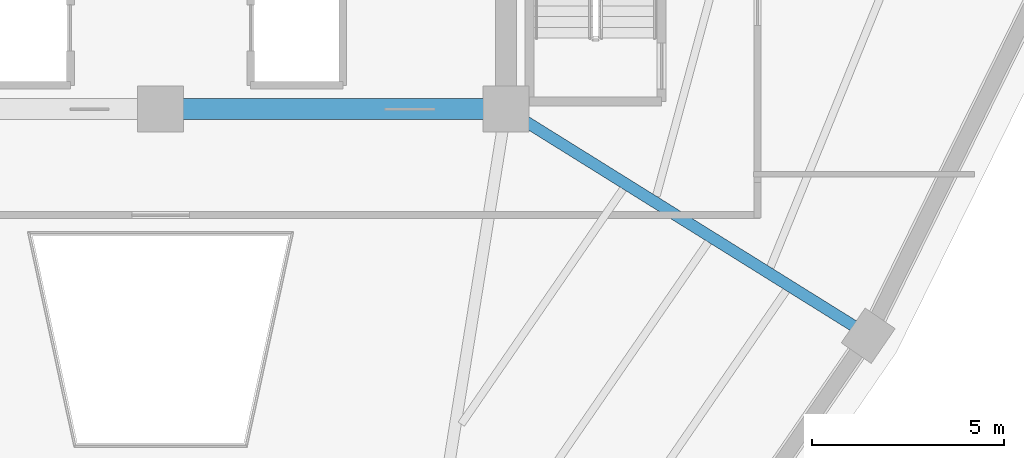
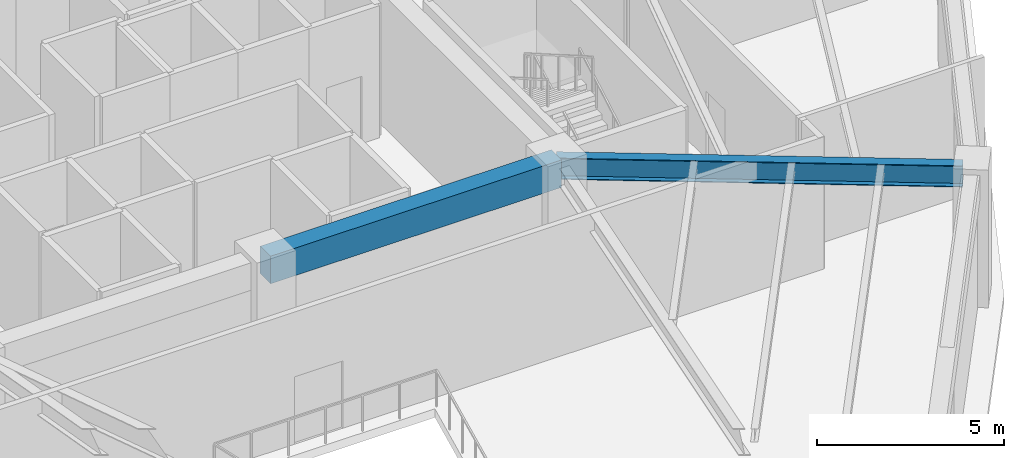
# One storey, part 13 of 35: 2 beams.
"""IFC4 building model written with IfcOpenShell, lengths in metres."""

import ifcopenshell
import ifcopenshell.guid

model = None  # the IFC model being written
_history = None  # IfcOwnerHistory: only IFC2X3 demands one
_inside = {}  # id of a spatial element -> (the spatial element, [elements in it])
_under = {}  # id of a project, library or spatial element -> (it, [spatial elements below it])
_declared = {}  # id of a project -> (the project, [libraries it declares])
_typed = {}  # id of a type object -> (the type object, [elements of that type])
_made_of = {}  # id of a material, layer set ... -> (it, [elements and type objects made of it])


def new_model(schema):
    """Start an empty IFC model of exactly this schema.

    Asked for "IFC4X3", IfcOpenShell would pick the latest addendum, in which some entities
    have other attributes; the version numbers below select the first issue.
    IFC2X3 requires an IfcOwnerHistory on every rooted entity: one is made here for all.
    """
    global model, _history
    if schema == "IFC4X3":
        model = ifcopenshell.file(schema_version=(4, 3, 0, 0))
    else:
        model = ifcopenshell.file(schema=schema)
    _inside.clear()
    _under.clear()
    _declared.clear()
    _typed.clear()
    _made_of.clear()
    _history = None
    if model.schema == "IFC2X3":
        org = make("IfcOrganization", Name="unknown")
        user = make(
            "IfcPersonAndOrganization",
            ThePerson=make("IfcPerson", FamilyName="unknown"),
            TheOrganization=org,
        )
        app = make(
            "IfcApplication",
            ApplicationDeveloper=org,
            Version="unknown",
            ApplicationFullName="unknown",
            ApplicationIdentifier="unknown",
        )
        _history = make(
            "IfcOwnerHistory",
            OwningUser=user,
            OwningApplication=app,
            ChangeAction="ADDED",
            CreationDate=0,
        )
    return model


def make(cls, **values):
    """One entity of the class cls with the attributes given. An attribute that is None is left unset."""
    return model.create_entity(
        cls, **{name: value for name, value in values.items() if value is not None}
    )


def rooted(cls, **values):
    """An entity with a GlobalId (a new one), such as an element, a storey or a relation."""
    return make(cls, GlobalId=ifcopenshell.guid.new(), OwnerHistory=_history, **values)


def si_unit(unit_type, name, prefix=None):
    """IfcSIUnit, for example si_unit("LENGTHUNIT", "METRE", prefix="MILLI")."""
    return make("IfcSIUnit", UnitType=unit_type, Prefix=prefix, Name=name)


def assignment(units):
    """IfcUnitAssignment: the units of a project."""
    return None if units is None else make("IfcUnitAssignment", Units=units)


def point(xyz):
    """IfcCartesianPoint."""
    return None if xyz is None else make("IfcCartesianPoint", Coordinates=xyz)


def direction(xyz):
    """IfcDirection."""
    return None if xyz is None else make("IfcDirection", DirectionRatios=xyz)


def frame(location, z_axis=None, x_axis=None):
    """IfcAxis2Placement3D, a coordinate frame: its origin and axes. An axis left out is left unset."""
    return make(
        "IfcAxis2Placement3D",
        Location=point(location),
        Axis=direction(z_axis),
        RefDirection=direction(x_axis),
    )


def frame_2d(location, x_axis=None):
    """IfcAxis2Placement2D, a coordinate frame in the plane: its origin and x axis."""
    return make(
        "IfcAxis2Placement2D", Location=point(location), RefDirection=direction(x_axis)
    )


def origin():
    """The frame at (0, 0, 0) with its axes left unset."""
    return frame((0.0, 0.0, 0.0))


def origin_2d():
    """The frame at (0, 0) in the plane with its x axis left unset."""
    return frame_2d((0.0, 0.0))


def place(relative_to, where):
    """IfcLocalPlacement: puts the frame where relative to a parent placement (None: the world)."""
    return make(
        "IfcLocalPlacement", PlacementRelTo=relative_to, RelativePlacement=where
    )


def context(
    kind, dimensions, precision=None, world=None, true_north=None, identifier=None
):
    """IfcGeometricRepresentationContext, for example the 3D "Model" context."""
    return make(
        "IfcGeometricRepresentationContext",
        ContextIdentifier=identifier,
        ContextType=kind,
        CoordinateSpaceDimension=dimensions,
        Precision=precision,
        WorldCoordinateSystem=world,
        TrueNorth=true_north,
    )


def subcontext(parent, identifier, kind, view, scale=None):
    """IfcGeometricRepresentationSubContext, for example "Body" below "Model"."""
    return make(
        "IfcGeometricRepresentationSubContext",
        ContextIdentifier=identifier,
        ContextType=kind,
        ParentContext=parent,
        TargetScale=scale,
        TargetView=view,
    )


def project(units=None, contexts=None):
    """IfcProject with its units and contexts."""
    return rooted(
        "IfcProject",
        Name="project",
        RepresentationContexts=contexts,
        UnitsInContext=assignment(units),
    )


def spatial(cls, under=None, at=None, **own):
    """A site, building, storey or space (cls), placed at a placement, below another one or the project."""
    s = rooted(cls, ObjectPlacement=at, **own)
    if under is not None:
        _under.setdefault(under.id(), (under, []))[1].append(s)
    return s


def profile(cls, at=None, kind="AREA", **sizes):
    """A parametric profile (cls). Its sizes go by their IFC names, for example OverallWidth=200.0."""
    return make(cls, ProfileType=kind, Position=at, **sizes)


def rectangle(**sizes):
    """IfcRectangleProfileDef."""
    return profile("IfcRectangleProfileDef", **sizes)


def i_section(**sizes):
    """IfcIShapeProfileDef."""
    return profile("IfcIShapeProfileDef", **sizes)


def extrude(swept, where, along, depth):
    """IfcExtrudedAreaSolid: the profile swept, set in the frame where, extruded along a direction by depth."""
    return make(
        "IfcExtrudedAreaSolid",
        SweptArea=swept,
        Position=where,
        ExtrudedDirection=direction(along),
        Depth=depth,
    )


def shape(context_of_items, identifier, shape_type, items):
    """IfcShapeRepresentation: the items that make up one representation, for example the "Body"."""
    return make(
        "IfcShapeRepresentation",
        ContextOfItems=context_of_items,
        RepresentationIdentifier=identifier,
        RepresentationType=shape_type,
        Items=items,
    )


def source(mapping_origin, context_of_items, identifier, shape_type, items):
    """IfcRepresentationMap: a shape defined once, which mapped items show again and again."""
    return make(
        "IfcRepresentationMap",
        MappingOrigin=mapping_origin,
        MappedRepresentation=shape(context_of_items, identifier, shape_type, items),
    )


def transform(
    local_origin,
    x_axis=None,
    y_axis=None,
    z_axis=None,
    scale=None,
    scale2=None,
    scale3=None,
    uniform=True,
):
    """IfcCartesianTransformationOperator3D, or its non-uniform kind. x_axis, y_axis, z_axis: its Axis1, 2, 3."""
    if uniform:
        return make(
            "IfcCartesianTransformationOperator3D",
            Axis1=direction(x_axis),
            Axis2=direction(y_axis),
            LocalOrigin=point(local_origin),
            Scale=scale,
            Axis3=direction(z_axis),
        )
    return make(
        "IfcCartesianTransformationOperator3DnonUniform",
        Axis1=direction(x_axis),
        Axis2=direction(y_axis),
        LocalOrigin=point(local_origin),
        Scale=scale,
        Axis3=direction(z_axis),
        Scale2=scale2,
        Scale3=scale3,
    )


def mapped(mapping_source, mapping_target):
    """IfcMappedItem: shows the shape of a source again, moved by a transform."""
    return make(
        "IfcMappedItem", MappingSource=mapping_source, MappingTarget=mapping_target
    )


def material(Name=None, Category=None):
    """IfcMaterial."""
    return make("IfcMaterial", Name=Name, Category=Category)


def material_profile(
    of_material, cross_section, Name=None, Category=None, Priority=None
):
    """IfcMaterialProfile: a cross section and its material."""
    return make(
        "IfcMaterialProfile",
        Name=Name,
        Material=of_material,
        Profile=cross_section,
        Priority=Priority,
        Category=Category,
    )


def profile_set(profiles, Name=None, composite=None):
    """IfcMaterialProfileSet."""
    return make(
        "IfcMaterialProfileSet",
        Name=Name,
        MaterialProfiles=profiles,
        CompositeProfile=composite,
    )


def made_of(thing, what):
    """Note that an element or type object is made of a material, layer set ...; save() writes the relation."""
    if what is not None:
        _made_of.setdefault(what.id(), (what, []))[1].append(thing)
    return thing


def type_object(cls, material=None, **own):
    """A type object (cls), such as IfcWallType, which elements share."""
    return made_of(rooted(cls, **own), material)


def element(
    cls,
    number,
    at=None,
    inside=None,
    cuts=None,
    type_object=None,
    material=None,
    context=None,
    identifier="Body",
    shape_type=None,
    held_by="IfcProductDefinitionShape",
    body=None,
    shapes=None,
    **own,
):
    """One element of the class cls, such as IfcWall. Its Tag is "e" and its number.

    at: its placement. inside: the storey or other place that contains it. cuts: it is an
    opening in that element (IfcRelVoidsElement). A single representation is given by context,
    identifier, shape_type and body (its items); several are given by shapes. held_by: the class
    of the entity that holds the representations. save() writes the other relations.
    """
    e = rooted(cls, Tag="e%d" % number, ObjectPlacement=at, **own)
    if body is not None:
        shapes = [shape(context, identifier, shape_type, body)]
    if shapes is not None:
        e.Representation = make(held_by, Representations=shapes)
    if inside is not None:
        _inside.setdefault(inside.id(), (inside, []))[1].append(e)
    if cuts is not None:
        rooted(
            "IfcRelVoidsElement", RelatingBuildingElement=cuts, RelatedOpeningElement=e
        )
    if type_object is not None:
        _typed.setdefault(type_object.id(), (type_object, []))[1].append(e)
    return made_of(e, material)


def aggregate(whole, parts):
    """IfcRelAggregates: a whole, such as a stair, and the parts it consists of."""
    return rooted("IfcRelAggregates", RelatingObject=whole, RelatedObjects=parts)


def save(model, path):
    """Write the relations noted so far, then the file.

    IfcRelAggregates (storeys below a building ...), IfcRelContainedInSpatialStructure (elements
    in a storey), IfcRelDefinesByType, IfcRelAssociatesMaterial and IfcRelDeclares: one each for
    every whole, place, type object, material and project.
    """
    for whole, parts in _under.values():
        aggregate(whole, parts)
    for where, things in _inside.values():
        rooted(
            "IfcRelContainedInSpatialStructure",
            RelatedElements=things,
            RelatingStructure=where,
        )
    for kind, things in _typed.values():
        rooted("IfcRelDefinesByType", RelatedObjects=things, RelatingType=kind)
    for what, things in _made_of.values():
        rooted("IfcRelAssociatesMaterial", RelatedObjects=things, RelatingMaterial=what)
    for by, libraries in _declared.values():
        rooted("IfcRelDeclares", RelatingContext=by, RelatedDefinitions=libraries)
    model.write(path)


model = new_model("IFC4")

# Units and contexts
model_context = context("Model", 3, precision=1e-05, world=origin(), true_north=direction((0.0, 1.0)))
body_context = subcontext(model_context, "Body", "Model", "MODEL_VIEW")
ifc_project = project(units=[si_unit("LENGTHUNIT", "METRE"), si_unit("AREAUNIT", "SQUARE_METRE"), si_unit("VOLUMEUNIT", "CUBIC_METRE"), si_unit("PLANEANGLEUNIT", "RADIAN"), si_unit("MASSUNIT", "GRAM", prefix="KILO")], contexts=[model_context])

# Site, building, storey
site_placement = place(None, origin())
site = spatial("IfcSite", under=ifc_project, at=site_placement, CompositionType="ELEMENT")
building_placement = place(site_placement, origin())
building = spatial("IfcBuilding", under=site, at=building_placement, Name="Liaohun Quay Tower", CompositionType="ELEMENT")
storey_placement = place(building_placement, frame((0.0, 0.0, 282.0)))
storey = spatial("IfcBuildingStorey", under=building, at=storey_placement, Name="L73", CompositionType="ELEMENT", Elevation=282.0)

# Beams
ifc_material_1 = material(Name="Concrete C55", Category="concrete")
ifc_material_profile_1 = material_profile(ifc_material_1, rectangle(XDim=0.550048828125, YDim=0.89990234375, at=origin_2d()), Name="RC550x900")
ifc_profile_set_1 = profile_set([ifc_material_profile_1], Name="Concrete C55")
beam_type_1 = type_object("IfcBeamType", Name="BM-CPL-2", PredefinedType="LINTEL", material=ifc_profile_set_1)
shared_shape_1 = source(origin(), body_context, "Body", "SweptSolid", [
    extrude(rectangle(XDim=0.550048828125, YDim=0.89990234375, at=origin_2d()), origin(), (0.0, 0.0, 1.0), 9.0),
])
beam_1_placement = place(storey_placement, frame((60.0, 46.5, 3.8701171875), z_axis=(1.0, 0.0, 0.0), x_axis=(0.0, 1.0, 0.0)))
element("IfcBeam", 1, at=beam_1_placement, inside=storey, type_object=beam_type_1, Name="L73 Core Coupling/Ring Beam CC2-CC3", PredefinedType="LINTEL", context=body_context, shape_type="MappedRepresentation", body=[
    mapped(shared_shape_1, transform((0.0, 0.0, 0.0), x_axis=(1.0, 0.0, 0.0), y_axis=(0.0, 1.0, 0.0), z_axis=(0.0, 0.0, 1.0), scale=1.0)),
])
ifc_material_2 = material(Name="Steel Q355D", Category="steel")
ifc_material_profile_2 = material_profile(ifc_material_2, i_section(OverallWidth=0.300048828125, OverallDepth=0.699951171875, WebThickness=0.012939453125, FlangeThickness=0.02392578125, at=origin_2d()), Name="HN700x300x13x24")
ifc_profile_set_2 = profile_set([ifc_material_profile_2], Name="Steel Q355D")
beam_type_2 = type_object("IfcBeamType", Name="BM-RAD-U1", PredefinedType="BEAM", material=ifc_profile_set_2)
shared_shape_2 = source(origin(), body_context, "Body", "SweptSolid", [
    extrude(i_section(OverallWidth=0.300048828125, OverallDepth=0.699951171875, WebThickness=0.012939453125, FlangeThickness=0.02392578125, at=origin_2d()), origin(), (0.0, 0.0, 1.0), 10.888916015625),
])
beam_2_placement = place(storey_placement, frame((69.0, 46.5, 3.969970703125), z_axis=(0.848746922137, -0.528799264525, 0.0), x_axis=(0.528799264525, 0.848746922137, 0.0)))
element("IfcBeam", 2, at=beam_2_placement, inside=storey, type_object=beam_type_2, Name="L73 Radial Primary Girder CC3-PC10", PredefinedType="BEAM", context=body_context, shape_type="MappedRepresentation", body=[
    mapped(shared_shape_2, transform((0.0, 0.0, 0.0), x_axis=(1.0, 0.0, 0.0), y_axis=(0.0, 1.0, 0.0), z_axis=(0.0, 0.0, 1.0), scale=1.0)),
])

save(model, "model.ifc")
